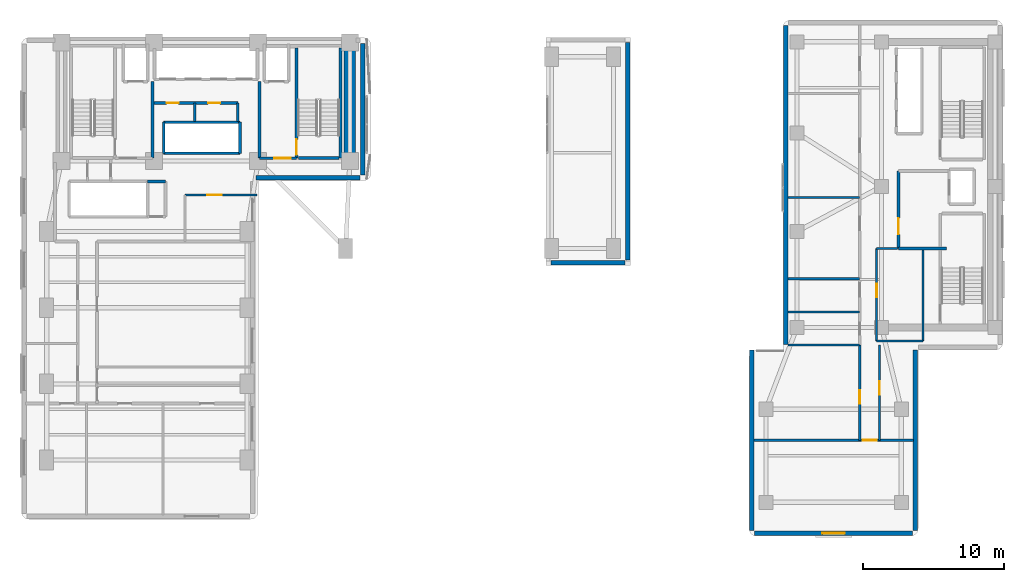
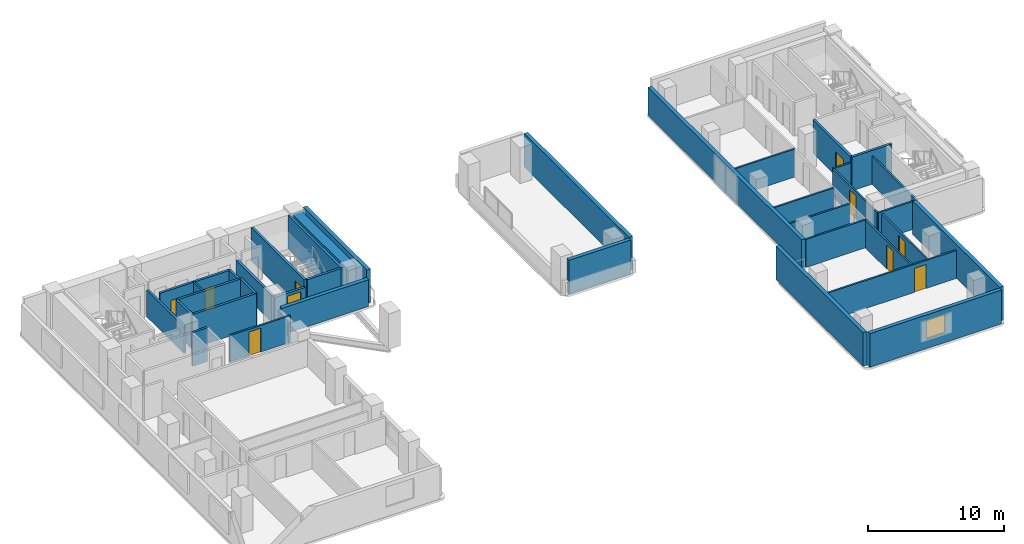
# One storey, part 9 of 14: 37 walls, 10 doors, 1 window, 11 openings.
"""IFC4 building model written with IfcOpenShell, lengths in metres."""

from ifc_helpers import new_model, si_unit, direction, frame, frame_2d, origin, place, context, subcontext, project, spatial, rectangle, extrude, material, layer, layer_set, type_object, element, fill, save


model = new_model("IFC4")

# Units and contexts
model_context = context("Model", 3, precision=1e-05, world=origin(), true_north=direction((0.0, 1.0)))
body_context = subcontext(model_context, "Body", "Model", "MODEL_VIEW")
ifc_project = project(units=[si_unit("LENGTHUNIT", "METRE"), si_unit("AREAUNIT", "SQUARE_METRE"), si_unit("VOLUMEUNIT", "CUBIC_METRE"), si_unit("PLANEANGLEUNIT", "RADIAN"), si_unit("MASSUNIT", "GRAM", prefix="KILO")], contexts=[model_context])

# Site, building, storey
site_placement = place(None, origin())
site = spatial("IfcSite", under=ifc_project, at=site_placement, CompositionType="ELEMENT")
building_placement = place(site_placement, origin())
building = spatial("IfcBuilding", under=site, at=building_placement, Name="Kuzgunbayir Cultural Tower", CompositionType="ELEMENT")
storey_placement = place(building_placement, frame((0.0, 0.0, 33.39990234375)))
storey = spatial("IfcBuildingStorey", under=building, at=storey_placement, Name="L08", CompositionType="ELEMENT", Elevation=33.39990234375)

# Walls
ifc_material_1 = material(Name="Concrete C60/75", Category="concrete")
ifc_layer_1 = layer(ifc_material_1, 0.800048828125)
ifc_layer_set_1 = layer_set([ifc_layer_1], Name="Concrete C60/75")
wall_type_1 = type_object("IfcWallType", Name="WAL-CORE-800", PredefinedType="SHEAR", material=ifc_layer_set_1)
wall_1_placement = place(storey_placement, frame((26.89990234375, 33.800048828125, 0.0), z_axis=(0.0, 0.0, 1.0), x_axis=(0.0, 1.0, 0.0)))
element("IfcWall", 1, at=wall_1_placement, inside=storey, type_object=wall_type_1, Name="L08 T1 Core East Shear Wall", PredefinedType="SHEAR", context=body_context, shape_type="SweptSolid", body=[
    extrude(rectangle(XDim=7.949951171875, YDim=0.800048828125, at=frame_2d((3.97509765625, 0.0))), origin(), (0.0, 0.0, 1.0), 3.02001953125),
])
ifc_material_2 = material(Name="Travertine Buff Ashlar", Category="masonry")
ifc_layer_2 = layer(ifc_material_2, 0.320068359375)
ifc_layer_set_2 = layer_set([ifc_layer_2], Name="Travertine Buff Ashlar")
wall_type_2 = type_object("IfcWallType", Name="WAL-EXT-STONE-320", PredefinedType="STANDARD", material=ifc_layer_set_2)
wall_2_placement = place(storey_placement, frame((27.800048828125, 32.800048828125, 0.0), z_axis=(0.0, 0.0, 1.0), x_axis=(0.0, 1.0, 0.0)))
element("IfcWall", 2, at=wall_2_placement, inside=storey, type_object=wall_type_2, Name="L08 Rear Core East Limestone Wall", PredefinedType="STANDARD", context=body_context, shape_type="SweptSolid", body=[
    extrude(rectangle(XDim=9.349853515625, YDim=0.320068359375, at=frame_2d((4.6748046875, 0.0))), origin(), (0.0, 0.0, 1.0), 3.02001953125),
])
wall_3_placement = place(storey_placement, frame((20.25, 32.60009765625, 0.0), z_axis=(0.0, 0.0, 1.0), x_axis=(1.0, 0.0, 0.0)))
element("IfcWall", 3, at=wall_3_placement, inside=storey, type_object=wall_type_2, Name="L08 Core South Soffit Wall", PredefinedType="STANDARD", context=body_context, shape_type="SweptSolid", body=[
    extrude(rectangle(XDim=7.35009765625, YDim=0.320068359375, at=frame_2d((3.675048828125, 0.0))), origin(), (0.0, 0.0, 1.0), 2.400146484375),
])
wall_4_placement = place(storey_placement, frame((41.14990234375, 26.60009765625, 0.0), z_axis=(0.0, 0.0, 1.0), x_axis=(1.0, 0.0, 0.0)))
element("IfcWall", 4, at=wall_4_placement, inside=storey, type_object=wall_type_2, Name="L08 Portal Pier South Wall", PredefinedType="STANDARD", context=body_context, shape_type="SweptSolid", body=[
    extrude(rectangle(XDim=5.25, YDim=0.320068359375, at=frame_2d((2.625, 0.0))), origin(), (0.0, 0.0, 1.0), 3.02001953125),
])
wall_5_placement = place(storey_placement, frame((46.60009765625, 26.800048828125, 0.0), z_axis=(0.0, 0.0, 1.0), x_axis=(0.0, 1.0, 0.0)))
element("IfcWall", 5, at=wall_5_placement, inside=storey, type_object=wall_type_2, Name="L08 Portal Pier East Wall", PredefinedType="STANDARD", context=body_context, shape_type="SweptSolid", body=[
    extrude(rectangle(XDim=15.39990234375, YDim=0.320068359375, at=frame_2d((7.699951171875, 0.0))), origin(), (0.0, 0.0, 1.0), 3.02001953125),
])
wall_6_placement = place(storey_placement, frame((57.800048828125, 43.39990234375, 0.0), z_axis=(0.0, 0.0, 1.0), x_axis=(0.0, -1.0, 0.0)))
element("IfcWall", 6, at=wall_6_placement, inside=storey, type_object=wall_type_2, Name="L08 Companion West Limestone Wall", PredefinedType="STANDARD", context=body_context, shape_type="SweptSolid", body=[
    extrude(rectangle(XDim=22.599853515625, YDim=0.320068359375, at=frame_2d((11.2998046875, 0.0))), origin(), (0.0, 0.0, 1.0), 2.510009765625),
])

# Wall, opening, window
wall_7_placement = place(storey_placement, frame((55.60009765625, 7.39990234375, 0.0), z_axis=(0.0, 0.0, 1.0), x_axis=(1.0, 0.0, 0.0)))
wall_7 = element("IfcWall", 7, at=wall_7_placement, inside=storey, type_object=wall_type_2, Name="L08 Companion Wing B South Wall", PredefinedType="STANDARD", context=body_context, shape_type="SweptSolid", body=[
    extrude(rectangle(XDim=11.199951171875, YDim=0.320068359375, at=frame_2d((5.60009765625, 0.0))), origin(), (0.0, 0.0, 1.0), 3.02001953125),
])
opening_1_placement = place(wall_7_placement, frame((4.800048828125, 0.0, 0.85009765625)))
opening_1 = element("IfcOpeningElement", 8, at=opening_1_placement, cuts=wall_7, Name="Opening WC-16", PredefinedType="OPENING", context=body_context, shape_type="SweptSolid", body=[
    extrude(rectangle(XDim=1.60009765625, YDim=1.699951171875, at=frame_2d((0.800048828125, 0.85009765625))), frame((0.0, 0.169921875, 0.0), z_axis=(0.0, -1.0, 0.0), x_axis=(1.0, 0.0, 0.0)), (0.0, 0.0, 1.0), 0.340087890625),
])
ifc_material_3 = material(Name="Solar-Control Triple Glazing", Category="glass")
window_type = type_object("IfcWindowType", Name="WIN-COMP-16", PartitioningType="SINGLE_PANEL", PredefinedType="WINDOW", material=ifc_material_3)
window_placement = place(opening_1_placement, origin())
window = element("IfcWindow", 9, at=window_placement, inside=storey, type_object=window_type, Name="L08 Companion South Window", OverallHeight=1.699951171875, OverallWidth=1.60009765625, PartitioningType="SINGLE_PANEL", PredefinedType="WINDOW", context=body_context, shape_type="SweptSolid", body=[
    extrude(rectangle(XDim=1.60009765625, YDim=1.699951171875, at=frame_2d((0.800048828125, 0.85009765625))), frame((0.0, 0.030029296875, 0.0), z_axis=(0.0, -1.0, 0.0), x_axis=(1.0, 0.0, 0.0)), (0.0, 0.0, 1.0), 0.06005859375),
])
fill(opening_1, window)

# Walls
for number, where, z_axis, x_axis, name in (
    (10, (55.39990234375, 20.39990234375, 0.0), (0.0, 0.0, 1.0), (0.0, -1.0, 0.0), "L08 Companion Wing B West Wall"),
    (11, (67.0, 7.60009765625, 0.0), (0.0, 0.0, 1.0), (0.0, 1.0, 0.0), "L08 Companion Wing B East Wall"),
):
    element("IfcWall", number, at=place(storey_placement, frame(where, z_axis=z_axis, x_axis=x_axis)), inside=storey, type_object=wall_type_2, Name=name, PredefinedType="STANDARD", context=body_context, shape_type="SweptSolid", body=[
        extrude(rectangle(XDim=12.7998046875, YDim=0.320068359375, at=frame_2d((6.39990234375, 0.0))), origin(), (0.0, 0.0, 1.0), 3.02001953125),
    ])
ifc_material_4 = material(Name="Acoustic Double-Stud Drywall", Category="gypsum")
ifc_layer_3 = layer(ifc_material_4, 0.14990234375)
ifc_layer_set_3 = layer_set([ifc_layer_3], Name="Acoustic Double-Stud Drywall")
wall_type_3 = type_object("IfcWallType", Name="WAL-PART-ACOUSTIC-150", PredefinedType="PARTITIONING", material=ifc_layer_set_3)
wall_8_placement = place(storey_placement, frame((15.89990234375, 36.60009765625, 0.0), z_axis=(0.0, 0.0, 1.0), x_axis=(0.0, 1.0, 0.0)))
element("IfcWall", 12, at=wall_8_placement, inside=storey, type_object=wall_type_3, Name="L08 Core Closets Divider", PredefinedType="PARTITIONING", context=body_context, shape_type="SweptSolid", body=[
    extrude(rectangle(XDim=1.31982421875, YDim=0.14990234375, at=frame_2d((0.659912109375, 0.0))), origin(), (0.0, 0.0, 1.0), 3.02001953125),
])

# Wall, opening, door
wall_9_placement = place(storey_placement, frame((15.199951171875, 31.39990234375, 0.0), z_axis=(0.0, 0.0, 1.0), x_axis=(1.0, 0.0, 0.0)))
wall_9 = element("IfcWall", 13, at=wall_9_placement, inside=storey, type_object=wall_type_3, Name="L08 Central Sky Salon North Wall", PredefinedType="PARTITIONING", context=body_context, shape_type="SweptSolid", body=[
    extrude(rectangle(XDim=5.10009765625, YDim=0.14990234375, at=frame_2d((2.550048828125, 0.0))), origin(), (0.0, 0.0, 1.0), 2.400146484375),
])
opening_2_placement = place(wall_9_placement, frame((1.60009765625, 0.0, 0.0)))
opening_2 = element("IfcOpeningElement", 14, at=opening_2_placement, cuts=wall_9, Name="Opening DI-100", PredefinedType="OPENING", context=body_context, shape_type="SweptSolid", body=[
    extrude(rectangle(XDim=1.0, YDim=2.14990234375, at=frame_2d((0.5, 1.074951171875))), frame((0.0, 0.0849609375, 0.0), z_axis=(0.0, -1.0, 0.0), x_axis=(1.0, 0.0, 0.0)), (0.0, 0.0, 1.0), 0.169921875),
])
ifc_material_5 = material(Name="Veneered Oak Single Leaf", Category="wood")
door_type_1 = type_object("IfcDoorType", Name="DR-INT-100", OperationType="NOTDEFINED", PredefinedType="DOOR", material=ifc_material_5)
door_1_placement = place(opening_2_placement, origin())
door_1 = element("IfcDoor", 15, at=door_1_placement, inside=storey, type_object=door_type_1, Name="L08 Central Sky Salon Door", OperationType="SINGLE_SWING_RIGHT", OverallHeight=2.14990234375, OverallWidth=1.0, PredefinedType="DOOR", context=body_context, shape_type="SweptSolid", body=[
    extrude(rectangle(XDim=1.0, YDim=2.14990234375, at=frame_2d((0.5, 1.074951171875))), frame((0.0, 0.02490234375, 0.0), z_axis=(0.0, -1.0, 0.0), x_axis=(1.0, 0.0, 0.0)), (0.0, 0.0, 1.0), 0.050048828125),
])
fill(opening_2, door_1)

wall_10_placement = place(storey_placement, frame((64.25, 21.050048828125, 0.0), z_axis=(0.0, 0.0, 1.0), x_axis=(0.0, 1.0, 0.0)))
wall_10 = element("IfcWall", 16, at=wall_10_placement, inside=storey, type_object=wall_type_3, Name="L08 Companion Archive West Wall", PredefinedType="PARTITIONING", context=body_context, shape_type="SweptSolid", body=[
    extrude(rectangle(XDim=6.550048828125, YDim=0.14990234375, at=frame_2d((3.27490234375, 0.0))), origin(), (0.0, 0.0, 1.0), 2.510009765625),
])
opening_3_placement = place(wall_10_placement, frame((3.10009765625, 0.0, 0.0)))
opening_3 = element("IfcOpeningElement", 17, at=opening_3_placement, cuts=wall_10, Name="Opening DI-90", PredefinedType="OPENING", context=body_context, shape_type="SweptSolid", body=[
    extrude(rectangle(XDim=0.949951171875, YDim=2.14990234375, at=frame_2d((0.47509765625, 1.074951171875))), frame((0.0, 0.0849609375, 0.0), z_axis=(0.0, -1.0, 0.0), x_axis=(1.0, 0.0, 0.0)), (0.0, 0.0, 1.0), 0.169921875),
])
door_type_2 = type_object("IfcDoorType", Name="DR-INT-90", OperationType="NOTDEFINED", PredefinedType="DOOR", material=ifc_material_5)
door_2_placement = place(opening_3_placement, origin())
door_2 = element("IfcDoor", 18, at=door_2_placement, inside=storey, type_object=door_type_2, Name="L08 Companion Archive Door", OperationType="SINGLE_SWING_LEFT", OverallHeight=2.14990234375, OverallWidth=0.949951171875, PredefinedType="DOOR", context=body_context, shape_type="SweptSolid", body=[
    extrude(rectangle(XDim=0.949951171875, YDim=2.14990234375, at=frame_2d((0.47509765625, 1.074951171875))), frame((0.0, 0.02490234375, 0.0), z_axis=(0.0, -1.0, 0.0), x_axis=(1.0, 0.0, 0.0)), (0.0, 0.0, 1.0), 0.050048828125),
])
fill(opening_3, door_2)

# Walls
wall_11_placement = place(storey_placement, frame((67.550048828125, 21.050048828125, 0.0), z_axis=(0.0, 0.0, 1.0), x_axis=(0.0, 1.0, 0.0)))
element("IfcWall", 19, at=wall_11_placement, inside=storey, type_object=wall_type_3, Name="L08 Companion Archive East Wall", PredefinedType="PARTITIONING", context=body_context, shape_type="SweptSolid", body=[
    extrude(rectangle(XDim=6.469970703125, YDim=0.14990234375, at=frame_2d((3.23486328125, 0.0))), origin(), (0.0, 0.0, 1.0), 2.510009765625),
])
wall_12_placement = place(storey_placement, frame((64.25, 21.050048828125, 0.0), z_axis=(0.0, 0.0, 1.0), x_axis=(1.0, 0.0, 0.0)))
element("IfcWall", 20, at=wall_12_placement, inside=storey, type_object=wall_type_3, Name="L08 Companion Archive South Wall", PredefinedType="PARTITIONING", context=body_context, shape_type="SweptSolid", body=[
    extrude(rectangle(XDim=3.300048828125, YDim=0.14990234375, at=frame_2d((1.64990234375, 0.0))), origin(), (0.0, 0.0, 1.0), 2.510009765625),
])
wall_13_placement = place(storey_placement, frame((64.25, 27.60009765625, 0.0), z_axis=(0.0, 0.0, 1.0), x_axis=(1.0, 0.0, 0.0)))
element("IfcWall", 21, at=wall_13_placement, inside=storey, type_object=wall_type_3, Name="L08 Companion Archive North Wall", PredefinedType="PARTITIONING", context=body_context, shape_type="SweptSolid", body=[
    extrude(rectangle(XDim=1.469970703125, YDim=0.14990234375, at=frame_2d((0.73486328125, 0.0))), origin(), (0.0, 0.0, 1.0), 2.510009765625),
])
wall_14_placement = place(storey_placement, frame((57.949951171875, 31.2099609375, 0.0), z_axis=(0.0, 0.0, 1.0), x_axis=(1.0, 0.0, 0.0)))
element("IfcWall", 22, at=wall_14_placement, inside=storey, type_object=wall_type_3, Name="L08 Companion Studio Partition 1", PredefinedType="PARTITIONING", context=body_context, shape_type="SweptSolid", body=[
    extrude(rectangle(XDim=5.10009765625, YDim=0.14990234375, at=frame_2d((2.550048828125, 0.0))), origin(), (0.0, 0.0, 1.0), 2.510009765625),
])

# Wall, opening, door
wall_15_placement = place(storey_placement, frame((63.050048828125, 14.0, 0.0), z_axis=(0.0, 0.0, 1.0), x_axis=(0.0, 1.0, 0.0)))
wall_15 = element("IfcWall", 23, at=wall_15_placement, inside=storey, type_object=wall_type_3, Name="L08 Companion South Corridor West Wall", PredefinedType="PARTITIONING", context=body_context, shape_type="SweptSolid", body=[
    extrude(rectangle(XDim=6.75, YDim=0.14990234375, at=frame_2d((3.375, 0.0))), origin(), (0.0, 0.0, 1.0), 2.510009765625),
])
opening_4_placement = place(wall_15_placement, frame((2.60009765625, 0.0, 0.0)))
opening_4 = element("IfcOpeningElement", 24, at=opening_4_placement, cuts=wall_15, Name="Opening DI-90", PredefinedType="OPENING", context=body_context, shape_type="SweptSolid", body=[
    extrude(rectangle(XDim=0.949951171875, YDim=2.14990234375, at=frame_2d((0.47509765625, 1.074951171875))), frame((0.0, 0.0849609375, 0.0), z_axis=(0.0, -1.0, 0.0), x_axis=(1.0, 0.0, 0.0)), (0.0, 0.0, 1.0), 0.169921875),
])
door_3_placement = place(opening_4_placement, origin())
door_3 = element("IfcDoor", 25, at=door_3_placement, inside=storey, type_object=door_type_2, Name="L08 Companion West Atelier Door", OperationType="SINGLE_SWING_LEFT", OverallHeight=2.14990234375, OverallWidth=0.949951171875, PredefinedType="DOOR", context=body_context, shape_type="SweptSolid", body=[
    extrude(rectangle(XDim=0.949951171875, YDim=2.14990234375, at=frame_2d((0.47509765625, 1.074951171875))), frame((0.0, 0.02490234375, 0.0), z_axis=(0.0, -1.0, 0.0), x_axis=(1.0, 0.0, 0.0)), (0.0, 0.0, 1.0), 0.050048828125),
])
fill(opening_4, door_3)

wall_16_placement = place(storey_placement, frame((55.550048828125, 14.0, 0.0), z_axis=(0.0, 0.0, 1.0), x_axis=(1.0, 0.0, 0.0)))
wall_16 = element("IfcWall", 26, at=wall_16_placement, inside=storey, type_object=wall_type_3, Name="L08 Companion South Gallery Wall", PredefinedType="PARTITIONING", context=body_context, shape_type="SweptSolid", body=[
    extrude(rectangle(XDim=11.300048828125, YDim=0.14990234375, at=frame_2d((5.64990234375, 0.0))), origin(), (0.0, 0.0, 1.0), 2.510009765625),
])
opening_5_placement = place(wall_16_placement, frame((7.699951171875, 0.0, 0.0)))
opening_5 = element("IfcOpeningElement", 27, at=opening_5_placement, cuts=wall_16, Name="Opening DI-100", PredefinedType="OPENING", context=body_context, shape_type="SweptSolid", body=[
    extrude(rectangle(XDim=1.0, YDim=2.14990234375, at=frame_2d((0.5, 1.074951171875))), frame((0.0, 0.0849609375, 0.0), z_axis=(0.0, -1.0, 0.0), x_axis=(1.0, 0.0, 0.0)), (0.0, 0.0, 1.0), 0.169921875),
])
door_4_placement = place(opening_5_placement, origin())
door_4 = element("IfcDoor", 28, at=door_4_placement, inside=storey, type_object=door_type_1, Name="L08 Companion South Salon Door", OperationType="SINGLE_SWING_LEFT", OverallHeight=2.14990234375, OverallWidth=1.0, PredefinedType="DOOR", context=body_context, shape_type="SweptSolid", body=[
    extrude(rectangle(XDim=1.0, YDim=2.14990234375, at=frame_2d((0.5, 1.074951171875))), frame((0.0, 0.02490234375, 0.0), z_axis=(0.0, -1.0, 0.0), x_axis=(1.0, 0.0, 0.0)), (0.0, 0.0, 1.0), 0.050048828125),
])
fill(opening_5, door_4)

wall_17_placement = place(storey_placement, frame((64.449951171875, 14.0, 0.0), z_axis=(0.0, 0.0, 1.0), x_axis=(0.0, 1.0, 0.0)))
wall_17 = element("IfcWall", 29, at=wall_17_placement, inside=storey, type_object=wall_type_3, Name="L08 Companion South Corridor East Wall", PredefinedType="PARTITIONING", context=body_context, shape_type="SweptSolid", body=[
    extrude(rectangle(XDim=6.75, YDim=0.14990234375, at=frame_2d((3.375, 0.0))), origin(), (0.0, 0.0, 1.0), 2.510009765625),
])
opening_6_placement = place(wall_17_placement, frame((3.239990234375, 0.0, 0.0)))
opening_6 = element("IfcOpeningElement", 30, at=opening_6_placement, cuts=wall_17, Name="Opening DI-90", PredefinedType="OPENING", context=body_context, shape_type="SweptSolid", body=[
    extrude(rectangle(XDim=0.949951171875, YDim=2.14990234375, at=frame_2d((0.47509765625, 1.074951171875))), frame((0.0, 0.0849609375, 0.0), z_axis=(0.0, -1.0, 0.0), x_axis=(1.0, 0.0, 0.0)), (0.0, 0.0, 1.0), 0.169921875),
])
door_5_placement = place(opening_6_placement, origin())
door_5 = element("IfcDoor", 31, at=door_5_placement, inside=storey, type_object=door_type_2, Name="L08 Companion East Studio Door", OperationType="SINGLE_SWING_RIGHT", OverallHeight=2.14990234375, OverallWidth=0.949951171875, PredefinedType="DOOR", context=body_context, shape_type="SweptSolid", body=[
    extrude(rectangle(XDim=0.949951171875, YDim=2.14990234375, at=frame_2d((0.47509765625, 1.074951171875))), frame((0.0, 0.02490234375, 0.0), z_axis=(0.0, -1.0, 0.0), x_axis=(1.0, 0.0, 0.0)), (0.0, 0.0, 1.0), 0.050048828125),
])
fill(opening_6, door_5)

# Walls
ifc_material_6 = material(Name="Aerated Concrete Blockwork", Category="masonry")
ifc_layer_4 = layer(ifc_material_6, 0.199951171875)
ifc_layer_set_4 = layer_set([ifc_layer_4], Name="Aerated Concrete Blockwork")
wall_type_4 = type_object("IfcWallType", Name="WAL-PART-FIRE-200", PredefinedType="PARTITIONING", material=ifc_layer_set_4)
for number, where, z_axis, x_axis, name in (
    (32, (12.89990234375, 34.0, 0.0), (0.0, 0.0, 1.0), (0.0, 1.0, 0.0), "L08 FFL-1 Lobby East Fire Wall"),
    (33, (20.5, 34.0, 0.0), (0.0, 0.0, 1.0), (0.0, 1.0, 0.0), "L08 FFL-2 Lobby West Fire Wall"),
):
    element("IfcWall", number, at=place(storey_placement, frame(where, z_axis=z_axis, x_axis=x_axis)), inside=storey, type_object=wall_type_4, Name=name, PredefinedType="PARTITIONING", context=body_context, shape_type="SweptSolid", body=[
        extrude(rectangle(XDim=5.449951171875, YDim=0.199951171875, at=frame_2d((2.72509765625, 0.0))), origin(), (0.0, 0.0, 1.0), 2.400146484375),
    ])

# Wall, opening, door
wall_18_placement = place(storey_placement, frame((20.5, 34.0, 0.0), z_axis=(0.0, 0.0, 1.0), x_axis=(1.0, 0.0, 0.0)))
wall_18 = element("IfcWall", 34, at=wall_18_placement, inside=storey, type_object=wall_type_4, Name="L08 FFL-2 Lobby South Fire Wall", PredefinedType="PARTITIONING", context=body_context, shape_type="SweptSolid", body=[
    extrude(rectangle(XDim=2.60009765625, YDim=0.199951171875, at=frame_2d((1.300048828125, 0.0))), origin(), (0.0, 0.0, 1.0), 2.400146484375),
])
opening_7_placement = place(wall_18_placement, frame((1.050048828125, 0.0, 0.0)))
opening_7 = element("IfcOpeningElement", 35, at=opening_7_placement, cuts=wall_18, Name="Opening DR-FFL-90", PredefinedType="OPENING", context=body_context, shape_type="SweptSolid", body=[
    extrude(rectangle(XDim=1.14990234375, YDim=2.14990234375, at=frame_2d((0.574951171875, 1.074951171875))), frame((0.0, 0.10986328125, 0.0), z_axis=(0.0, -1.0, 0.0), x_axis=(1.0, 0.0, 0.0)), (0.0, 0.0, 1.0), 0.219970703125),
])
ifc_material_7 = material(Name="Steel S355J2", Category="steel")
door_type_3 = type_object("IfcDoorType", Name="DR-FFL-90", OperationType="NOTDEFINED", PredefinedType="DOOR", material=ifc_material_7)
door_6_placement = place(opening_7_placement, origin())
door_6 = element("IfcDoor", 36, at=door_6_placement, inside=storey, type_object=door_type_3, Name="L08 Firefighting Lobby 2 Door", OperationType="SINGLE_SWING_RIGHT", OverallHeight=2.14990234375, OverallWidth=1.14990234375, PredefinedType="DOOR", context=body_context, shape_type="SweptSolid", body=[
    extrude(rectangle(XDim=1.14990234375, YDim=2.14990234375, at=frame_2d((0.574951171875, 1.074951171875))), frame((0.0, 0.02490234375, 0.0), z_axis=(0.0, -1.0, 0.0), x_axis=(1.0, 0.0, 0.0)), (0.0, 0.0, 1.0), 0.050048828125),
])
fill(opening_7, door_6)

# Wall
wall_19_placement = place(storey_placement, frame((12.550048828125, 32.35009765625, 0.0), z_axis=(0.0, 0.0, 1.0), x_axis=(1.0, 0.0, 0.0)))
element("IfcWall", 37, at=wall_19_placement, inside=storey, type_object=wall_type_4, Name="L08 Center Core Switchgear North Wall", PredefinedType="PARTITIONING", context=body_context, shape_type="SweptSolid", body=[
    extrude(rectangle(XDim=1.27001953125, YDim=0.199951171875, at=frame_2d((0.635009765625, 0.0))), origin(), (0.0, 0.0, 1.0), 3.02001953125),
])

# Wall, openings, doors
wall_20_placement = place(storey_placement, frame((13.0, 37.919921875, 0.0), z_axis=(0.0, 0.0, 1.0), x_axis=(1.0, 0.0, 0.0)))
wall_20 = element("IfcWall", 38, at=wall_20_placement, inside=storey, type_object=wall_type_4, Name="L08 Core Closets North Wall", PredefinedType="PARTITIONING", context=body_context, shape_type="SweptSolid", body=[
    extrude(rectangle(XDim=5.949951171875, YDim=0.199951171875, at=frame_2d((2.97509765625, 0.0))), origin(), (0.0, 0.0, 1.0), 3.02001953125),
])
opening_8_placement = place(wall_20_placement, frame((0.89990234375, 0.0, 0.0)))
opening_8 = element("IfcOpeningElement", 39, at=opening_8_placement, cuts=wall_20, Name="Opening DR-RSR-60", PredefinedType="OPENING", context=body_context, shape_type="SweptSolid", body=[
    extrude(rectangle(XDim=0.85009765625, YDim=2.050048828125, at=frame_2d((0.425048828125, 1.02490234375))), frame((0.0, 0.10986328125, 0.0), z_axis=(0.0, -1.0, 0.0), x_axis=(1.0, 0.0, 0.0)), (0.0, 0.0, 1.0), 0.219970703125),
])
opening_9_placement = place(wall_20_placement, frame((3.85009765625, 0.0, 0.0)))
opening_9 = element("IfcOpeningElement", 40, at=opening_9_placement, cuts=wall_20, Name="Opening DR-RSR-60", PredefinedType="OPENING", context=body_context, shape_type="SweptSolid", body=[
    extrude(rectangle(XDim=0.85009765625, YDim=2.050048828125, at=frame_2d((0.425048828125, 1.02490234375))), frame((0.0, 0.10986328125, 0.0), z_axis=(0.0, -1.0, 0.0), x_axis=(1.0, 0.0, 0.0)), (0.0, 0.0, 1.0), 0.219970703125),
])
ifc_material_8 = material(Name="Steel Access Leaf", Category="steel")
door_type_4 = type_object("IfcDoorType", Name="DR-RISER-60", OperationType="NOTDEFINED", PredefinedType="DOOR", material=ifc_material_8)
door_7_placement = place(opening_8_placement, origin())
door_7 = element("IfcDoor", 41, at=door_7_placement, inside=storey, type_object=door_type_4, Name="L08 Electrical Switchgear Closet Door", OperationType="SINGLE_SWING_RIGHT", OverallHeight=2.050048828125, OverallWidth=0.85009765625, PredefinedType="DOOR", context=body_context, shape_type="SweptSolid", body=[
    extrude(rectangle(XDim=0.85009765625, YDim=2.050048828125, at=frame_2d((0.425048828125, 1.02490234375))), frame((0.0, 0.02490234375, 0.0), z_axis=(0.0, -1.0, 0.0), x_axis=(1.0, 0.0, 0.0)), (0.0, 0.0, 1.0), 0.050048828125),
])
fill(opening_8, door_7)
door_8_placement = place(opening_9_placement, origin())
door_8 = element("IfcDoor", 42, at=door_8_placement, inside=storey, type_object=door_type_4, Name="L08 Janitor Store Door", OperationType="SINGLE_SWING_LEFT", OverallHeight=2.050048828125, OverallWidth=0.85009765625, PredefinedType="DOOR", context=body_context, shape_type="SweptSolid", body=[
    extrude(rectangle(XDim=0.85009765625, YDim=2.050048828125, at=frame_2d((0.425048828125, 1.02490234375))), frame((0.0, 0.02490234375, 0.0), z_axis=(0.0, -1.0, 0.0), x_axis=(1.0, 0.0, 0.0)), (0.0, 0.0, 1.0), 0.050048828125),
])
fill(opening_9, door_8)

# Wall
wall_21_placement = place(storey_placement, frame((18.949951171875, 36.60009765625, 0.0), z_axis=(0.0, 0.0, 1.0), x_axis=(0.0, 1.0, 0.0)))
element("IfcWall", 43, at=wall_21_placement, inside=storey, type_object=wall_type_4, Name="L08 Core Closets East Wall", PredefinedType="PARTITIONING", context=body_context, shape_type="SweptSolid", body=[
    extrude(rectangle(XDim=1.31982421875, YDim=0.199951171875, at=frame_2d((0.659912109375, 0.0))), origin(), (0.0, 0.0, 1.0), 3.02001953125),
])

# Wall, opening, door
wall_22_placement = place(storey_placement, frame((65.800048828125, 27.60009765625, 0.0), z_axis=(0.0, 0.0, 1.0), x_axis=(0.0, 1.0, 0.0)))
wall_22 = element("IfcWall", 44, at=wall_22_placement, inside=storey, type_object=wall_type_4, Name="L08 FFL-3 Lobby West Fire Wall", PredefinedType="PARTITIONING", context=body_context, shape_type="SweptSolid", body=[
    extrude(rectangle(XDim=5.5, YDim=0.199951171875, at=frame_2d((2.75, 0.0))), origin(), (0.0, 0.0, 1.0), 3.02001953125),
])
opening_10_placement = place(wall_22_placement, frame((1.0, 0.0, 0.0)))
opening_10 = element("IfcOpeningElement", 45, at=opening_10_placement, cuts=wall_22, Name="Opening DR-FFL-90", PredefinedType="OPENING", context=body_context, shape_type="SweptSolid", body=[
    extrude(rectangle(XDim=1.14990234375, YDim=2.14990234375, at=frame_2d((0.574951171875, 1.074951171875))), frame((0.0, 0.10986328125, 0.0), z_axis=(0.0, -1.0, 0.0), x_axis=(1.0, 0.0, 0.0)), (0.0, 0.0, 1.0), 0.219970703125),
])
door_9_placement = place(opening_10_placement, origin())
door_9 = element("IfcDoor", 46, at=door_9_placement, inside=storey, type_object=door_type_3, Name="L08 Firefighting Lobby 3 Door", OperationType="SINGLE_SWING_RIGHT", OverallHeight=2.14990234375, OverallWidth=1.14990234375, PredefinedType="DOOR", context=body_context, shape_type="SweptSolid", body=[
    extrude(rectangle(XDim=1.14990234375, YDim=2.14990234375, at=frame_2d((0.574951171875, 1.074951171875))), frame((0.0, 0.02490234375, 0.0), z_axis=(0.0, -1.0, 0.0), x_axis=(1.0, 0.0, 0.0)), (0.0, 0.0, 1.0), 0.050048828125),
])
fill(opening_10, door_9)

# Walls
wall_23_placement = place(storey_placement, frame((65.800048828125, 27.60009765625, 0.0), z_axis=(0.0, 0.0, 1.0), x_axis=(1.0, 0.0, 0.0)))
element("IfcWall", 47, at=wall_23_placement, inside=storey, type_object=wall_type_4, Name="L08 FFL-3 Lobby South Fire Wall", PredefinedType="PARTITIONING", context=body_context, shape_type="SweptSolid", body=[
    extrude(rectangle(XDim=3.39990234375, YDim=0.199951171875, at=frame_2d((1.699951171875, 0.0))), origin(), (0.0, 0.0, 1.0), 3.02001953125),
])
ifc_material_9 = material(Name="Moisture-Resistant Tile Partition", Category="gypsum")
ifc_layer_5 = layer(ifc_material_9, 0.14990234375)
ifc_layer_set_5 = layer_set([ifc_layer_5], Name="Moisture-Resistant Tile Partition")
wall_type_5 = type_object("IfcWallType", Name="WAL-PART-WET-150", PredefinedType="PARTITIONING", material=ifc_layer_set_5)
for number, where, z_axis, x_axis, name in (
    (48, (57.949951171875, 20.75, 0.0), (0.0, 0.0, 1.0), (1.0, 0.0, 0.0), "L08 Companion WC South Wall"),
    (49, (57.949951171875, 23.10009765625, 0.0), (0.0, 0.0, 1.0), (1.0, 0.0, 0.0), "L08 Companion WC North Wall"),
    (50, (57.949951171875, 25.449951171875, 0.0), (0.0, 0.0, 1.0), (1.0, 0.0, 0.0), "L08 Companion Accessible WC Wall"),
):
    element("IfcWall", number, at=place(storey_placement, frame(where, z_axis=z_axis, x_axis=x_axis)), inside=storey, type_object=wall_type_5, Name=name, PredefinedType="PARTITIONING", context=body_context, shape_type="SweptSolid", body=[
        extrude(rectangle(XDim=5.10009765625, YDim=0.14990234375, at=frame_2d((2.550048828125, 0.0))), origin(), (0.0, 0.0, 1.0), 2.510009765625),
    ])
ifc_material_10 = material(Name="Concrete C40/50", Category="concrete")
ifc_layer_6 = layer(ifc_material_10, 0.199951171875)
ifc_layer_set_6 = layer_set([ifc_layer_6], Name="Concrete C40/50")
wall_type_6 = type_object("IfcWallType", Name="WAL-SHAFT-200", PredefinedType="MOVABLE", material=ifc_layer_set_6)
for number, where, z_axis, x_axis, name in (
    (51, (13.699951171875, 34.35009765625, 0.0), (0.0, 0.0, 1.0), (1.0, 0.0, 0.0), "L08 Mid-Rise Lift Front Wall"),
    (52, (13.699951171875, 36.550048828125, 0.0), (0.0, 0.0, 1.0), (1.0, 0.0, 0.0), "L08 Mid-Rise Lift Shaft North Wall"),
):
    element("IfcWall", number, at=place(storey_placement, frame(where, z_axis=z_axis, x_axis=x_axis)), inside=storey, type_object=wall_type_6, Name=name, PredefinedType="MOVABLE", context=body_context, shape_type="SweptSolid", body=[
        extrude(rectangle(XDim=5.420166015625, YDim=0.199951171875, at=frame_2d((2.7099609375, 0.0))), origin(), (0.0, 0.0, 1.0), 3.02001953125),
    ])
for number, where, z_axis, x_axis, name in (
    (53, (13.699951171875, 34.35009765625, 0.0), (0.0, 0.0, 1.0), (0.0, 1.0, 0.0), "L08 Mid-Rise Lift Shaft West Wall"),
    (54, (19.1201171875, 34.35009765625, 0.0), (0.0, 0.0, 1.0), (0.0, 1.0, 0.0), "L08 Mid-Rise Lift Shaft East Wall"),
):
    element("IfcWall", number, at=place(storey_placement, frame(where, z_axis=z_axis, x_axis=x_axis)), inside=storey, type_object=wall_type_6, Name=name, PredefinedType="MOVABLE", context=body_context, shape_type="SweptSolid", body=[
        extrude(rectangle(XDim=2.199951171875, YDim=0.199951171875, at=frame_2d((1.10009765625, 0.0))), origin(), (0.0, 0.0, 1.0), 3.02001953125),
    ])

# Wall, opening, door
ifc_layer_7 = layer(ifc_material_10, 0.199951171875)
ifc_layer_set_7 = layer_set([ifc_layer_7], Name="Concrete C40/50")
wall_type_7 = type_object("IfcWallType", Name="WAL-STAIR-RC-200", PredefinedType="SHEAR", material=ifc_layer_set_7)
wall_24_placement = place(storey_placement, frame((23.1201171875, 34.02001953125, 0.0), z_axis=(0.0, 0.0, 1.0), x_axis=(0.0, 1.0, 0.0)))
wall_24 = element("IfcWall", 55, at=wall_24_placement, inside=storey, type_object=wall_type_7, Name="L08 Stair ST-2 West Structural Wall", PredefinedType="SHEAR", context=body_context, shape_type="SweptSolid", body=[
    extrude(rectangle(XDim=7.780029296875, YDim=0.199951171875, at=frame_2d((3.89013671875, 0.0))), origin(), (0.0, 0.0, 1.0), 3.02001953125),
])
opening_11_placement = place(wall_24_placement, frame((0.219970703125, 0.0, 0.0)))
opening_11 = element("IfcOpeningElement", 56, at=opening_11_placement, cuts=wall_24, Name="Opening DR-STAIR-90", PredefinedType="OPENING", context=body_context, shape_type="SweptSolid", body=[
    extrude(rectangle(XDim=1.10009765625, YDim=2.14990234375, at=frame_2d((0.550048828125, 1.074951171875))), frame((0.0, 0.10986328125, 0.0), z_axis=(0.0, -1.0, 0.0), x_axis=(1.0, 0.0, 0.0)), (0.0, 0.0, 1.0), 0.219970703125),
])
door_type_5 = type_object("IfcDoorType", Name="DR-STAIR-90", OperationType="NOTDEFINED", PredefinedType="DOOR", material=ifc_material_7)
door_10_placement = place(opening_11_placement, origin())
door_10 = element("IfcDoor", 57, at=door_10_placement, inside=storey, type_object=door_type_5, Name="L08 Stair ST-2 Fire Door", OperationType="SINGLE_SWING_RIGHT", OverallHeight=2.14990234375, OverallWidth=1.10009765625, PredefinedType="DOOR", context=body_context, shape_type="SweptSolid", body=[
    extrude(rectangle(XDim=1.10009765625, YDim=2.14990234375, at=frame_2d((0.550048828125, 1.074951171875))), frame((0.0, 0.02490234375, 0.0), z_axis=(0.0, -1.0, 0.0), x_axis=(1.0, 0.0, 0.0)), (0.0, 0.0, 1.0), 0.050048828125),
])
fill(opening_11, door_10)

# Walls
wall_25_placement = place(storey_placement, frame((26.239990234375, 34.02001953125, 0.0), z_axis=(0.0, 0.0, 1.0), x_axis=(0.0, 1.0, 0.0)))
element("IfcWall", 58, at=wall_25_placement, inside=storey, type_object=wall_type_7, Name="L08 Stair ST-2 East Structural Wall", PredefinedType="SHEAR", context=body_context, shape_type="SweptSolid", body=[
    extrude(rectangle(XDim=7.780029296875, YDim=0.199951171875, at=frame_2d((3.89013671875, 0.0))), origin(), (0.0, 0.0, 1.0), 3.02001953125),
])
wall_26_placement = place(storey_placement, frame((23.239990234375, 34.02001953125, 0.0), z_axis=(0.0, 0.0, 1.0), x_axis=(1.0, 0.0, 0.0)))
element("IfcWall", 59, at=wall_26_placement, inside=storey, type_object=wall_type_7, Name="L08 Stair ST-2 South Structural Wall", PredefinedType="SHEAR", context=body_context, shape_type="SweptSolid", body=[
    extrude(rectangle(XDim=2.880126953125, YDim=0.199951171875, at=frame_2d((1.43994140625, 0.0))), origin(), (0.0, 0.0, 1.0), 3.02001953125),
])

save(model, "model.ifc")
